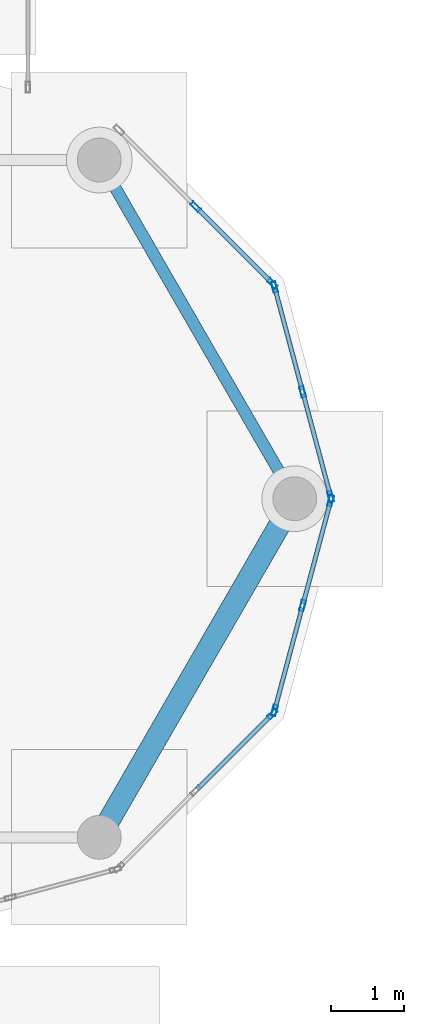
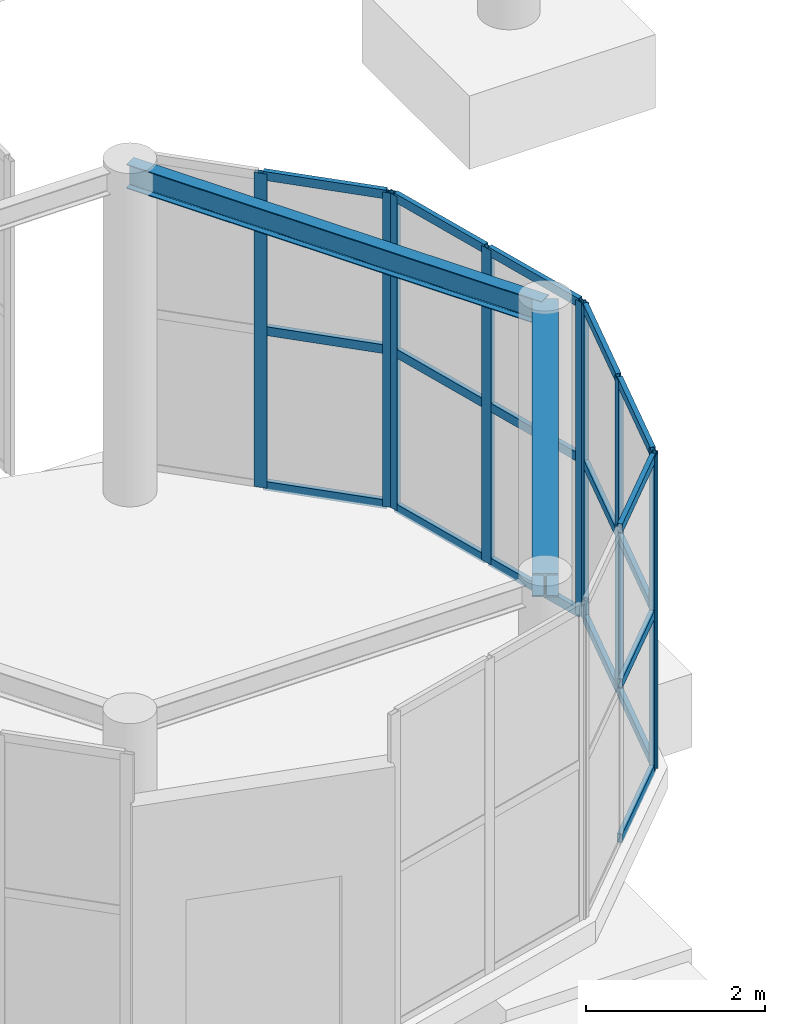
# One storey, part 51 of 139: 27 members, 2 beams, 4 elements without a shape of their own.
"""IFC4 building model written with IfcOpenShell, lengths in metres."""

from ifc_helpers import new_model, si_unit, direction, frame, origin, origin_2d, place, context, subcontext, project, spatial, hollow_rectangle, i_section, extrude, material, layer, layer_set, material_profile, profile_set, type_object, element, aggregate, save


model = new_model("IFC4")

# Units and contexts
model_context = context("Model", 3, precision=1e-05, world=origin(), true_north=direction((0.0, 1.0)))
body_context = subcontext(model_context, "Body", "Model", "MODEL_VIEW")
ifc_project = project(units=[si_unit("LENGTHUNIT", "METRE"), si_unit("AREAUNIT", "SQUARE_METRE"), si_unit("VOLUMEUNIT", "CUBIC_METRE"), si_unit("PLANEANGLEUNIT", "RADIAN"), si_unit("MASSUNIT", "GRAM", prefix="KILO")], contexts=[model_context])

# Site, building, storey
site_placement = place(None, origin())
site = spatial("IfcSite", under=ifc_project, at=site_placement, CompositionType="ELEMENT")
building_placement = place(site_placement, origin())
building = spatial("IfcBuilding", under=site, at=building_placement, Name="Zizhar Promenade General Hospital", CompositionType="ELEMENT")
storey_placement = place(building_placement, origin())
storey = spatial("IfcBuildingStorey", under=building, at=storey_placement, Name="L00", CompositionType="ELEMENT", Elevation=0.0)

# Beams
ifc_material_1 = material(Name="Steel S355", Category="steel")
ifc_material_profile_1 = material_profile(ifc_material_1, i_section(OverallWidth=0.300048828125, OverallDepth=0.320068359375, WebThickness=0.011474609375, FlangeThickness=0.0205078125, FilletRadius=0.027099609375, at=origin_2d()))
ifc_profile_set_1 = profile_set([ifc_material_profile_1], Name="Steel S355")
beam_type_1 = type_object("IfcBeamType", Name="BM-STL-HEB320", PredefinedType="BEAM", material=ifc_profile_set_1)
beam_1_placement = place(storey_placement, frame((166.675048828125, 23.36669921875, 4.340087890625), z_axis=(0.500001594578, 0.866024483152, 0.0), x_axis=(-0.866024483152, 0.500001594578, 0.0)))
element("IfcBeam", 1, at=beam_1_placement, inside=storey, type_object=beam_type_1, Name="PAV-2 Roof Ring Beam 6", PredefinedType="BEAM", context=body_context, shape_type="SweptSolid", body=[
    extrude(i_section(OverallWidth=0.300048828125, OverallDepth=0.320068359375, WebThickness=0.011474609375, FlangeThickness=0.0205078125, FilletRadius=0.027099609375, at=origin_2d()), origin(), (0.0, 0.0, 1.0), 5.35009765625),
])
ifc_material_2 = material(Name="Steel S355", Category="steel")
ifc_material_profile_2 = material_profile(ifc_material_2, i_section(OverallWidth=0.159912109375, OverallDepth=0.330078125, WebThickness=0.007568359375, FlangeThickness=0.011474609375, FilletRadius=0.01806640625, at=origin_2d()))
ifc_profile_set_2 = profile_set([ifc_material_profile_2], Name="Steel S355")
beam_type_2 = type_object("IfcBeamType", Name="BM-STL-IPE330", PredefinedType="JOIST", material=ifc_profile_set_2)
beam_2_placement = place(storey_placement, frame((169.35009765625, 28.0, 4.340087890625), z_axis=(-0.500001594578, 0.866024483152, 0.0), x_axis=(-0.866024483152, -0.500001594578, 0.0)))
element("IfcBeam", 2, at=beam_2_placement, inside=storey, type_object=beam_type_2, Name="PAV-2 Roof Ring Beam 1", PredefinedType="JOIST", context=body_context, shape_type="SweptSolid", body=[
    extrude(i_section(OverallWidth=0.159912109375, OverallDepth=0.330078125, WebThickness=0.007568359375, FlangeThickness=0.011474609375, FilletRadius=0.01806640625, at=origin_2d()), origin(), (0.0, 0.0, 1.0), 5.35009765625),
])

# Curtain wall, members
ifc_material_3 = material(Name="Anodised aluminium 6063-T6 and low-E glass", Category="aluminium")
ifc_layer = layer(ifc_material_3, 0.159912109375)
ifc_layer_set = layer_set([ifc_layer], Name="Anodised aluminium 6063-T6 and low-E glass")
curtain_wall_type = type_object("IfcCurtainWallType", Name="CW-PAV-GLZ", PredefinedType="NOTDEFINED", material=ifc_layer_set)
curtain_wall_1_placement = place(storey_placement, origin())
curtain_wall_1 = element("IfcCurtainWall", 3, at=curtain_wall_1_placement, inside=storey, type_object=curtain_wall_type, Name="Pharmacy Collection Pavilion Curved Glazing 1", PredefinedType="NOTDEFINED")
ifc_material_4 = material(Name="Anodised aluminium 6063-T6", Category="aluminium")
ifc_material_profile_3 = material_profile(ifc_material_4, hollow_rectangle(XDim=0.06005859375, YDim=0.14990234375, WallThickness=0.00390625, at=origin_2d()))
ifc_profile_set_3 = profile_set([ifc_material_profile_3], Name="Anodised aluminium 6063-T6")
member_type_1 = type_object("IfcMemberType", Name="CWM-ALU-150x60", PredefinedType="MULLION", material=ifc_profile_set_3)
member_1_placement = place(storey_placement, frame((169.073974609375, 30.89599609375, 0.0), z_axis=(0.0, 0.0, 1.0), x_axis=(0.965921812881, 0.25883402288, 0.0)))
member_1 = element("IfcMember", 4, at=member_1_placement, type_object=member_type_1, Name="CW-14 mullion 1", PredefinedType="MULLION", context=body_context, shape_type="SweptSolid", body=[
    extrude(hollow_rectangle(XDim=0.06005859375, YDim=0.14990234375, WallThickness=0.00390625, at=origin_2d()), origin(), (0.0, 0.0, 1.0), 4.280029296875),
])
member_2_placement = place(storey_placement, frame((169.4580078125, 29.46240234375, 0.0), z_axis=(0.0, 0.0, 1.0), x_axis=(0.965921812881, 0.25883402288, 0.0)))
member_2 = element("IfcMember", 5, at=member_2_placement, type_object=member_type_1, Name="CW-14 mullion 2", PredefinedType="MULLION", context=body_context, shape_type="SweptSolid", body=[
    extrude(hollow_rectangle(XDim=0.06005859375, YDim=0.14990234375, WallThickness=0.00390625, at=origin_2d()), origin(), (0.0, 0.0, 1.0), 4.280029296875),
])
member_3_placement = place(storey_placement, frame((169.84228515625, 28.029052734375, 0.0), z_axis=(0.0, 0.0, 1.0), x_axis=(0.965921812881, 0.25883402288, 0.0)))
member_3 = element("IfcMember", 6, at=member_3_placement, type_object=member_type_1, Name="CW-14 mullion 3", PredefinedType="MULLION", context=body_context, shape_type="SweptSolid", body=[
    extrude(hollow_rectangle(XDim=0.06005859375, YDim=0.14990234375, WallThickness=0.00390625, at=origin_2d()), origin(), (0.0, 0.0, 1.0), 4.280029296875),
])

curtain_wall_2_placement = place(storey_placement, origin())
curtain_wall_2 = element("IfcCurtainWall", 7, at=curtain_wall_2_placement, inside=storey, type_object=curtain_wall_type, Name="Pharmacy Collection Pavilion Curved Glazing 2", PredefinedType="NOTDEFINED")
member_4_placement = place(storey_placement, frame((167.99560546875, 31.99560546875, 0.0), z_axis=(0.0, 0.0, 1.0), x_axis=(0.707106781187, 0.707106781187, 0.0)))
member_4 = element("IfcMember", 8, at=member_4_placement, type_object=member_type_1, Name="CW-14 mullion 2", PredefinedType="MULLION", context=body_context, shape_type="SweptSolid", body=[
    extrude(hollow_rectangle(XDim=0.06005859375, YDim=0.14990234375, WallThickness=0.00390625, at=origin_2d()), origin(), (0.0, 0.0, 1.0), 4.280029296875),
])
member_5_placement = place(storey_placement, frame((169.044921875, 30.9462890625, 0.0), z_axis=(0.0, 0.0, 1.0), x_axis=(0.707106781187, 0.707106781187, 0.0)))
member_5 = element("IfcMember", 9, at=member_5_placement, type_object=member_type_1, Name="CW-14 mullion 3", PredefinedType="MULLION", context=body_context, shape_type="SweptSolid", body=[
    extrude(hollow_rectangle(XDim=0.06005859375, YDim=0.14990234375, WallThickness=0.00390625, at=origin_2d()), origin(), (0.0, 0.0, 1.0), 4.280029296875),
])

# Curtain wall, member
curtain_wall_3_placement = place(storey_placement, origin())
curtain_wall_3 = element("IfcCurtainWall", 10, at=curtain_wall_3_placement, inside=storey, type_object=curtain_wall_type, Name="Pharmacy Collection Pavilion Curved Glazing 11", PredefinedType="NOTDEFINED")
member_6_placement = place(storey_placement, frame((169.044921875, 25.0537109375, 0.0), z_axis=(0.0, 0.0, 1.0), x_axis=(0.707106781187, -0.707106781187, 0.0)))
member_6 = element("IfcMember", 11, at=member_6_placement, type_object=member_type_1, Name="CW-14 mullion 1", PredefinedType="MULLION", context=body_context, shape_type="SweptSolid", body=[
    extrude(hollow_rectangle(XDim=0.06005859375, YDim=0.14990234375, WallThickness=0.00390625, at=origin_2d()), origin(), (0.0, 0.0, 1.0), 4.280029296875),
])

# Curtain wall, members
curtain_wall_4_placement = place(storey_placement, origin())
curtain_wall_4 = element("IfcCurtainWall", 12, at=curtain_wall_4_placement, inside=storey, type_object=curtain_wall_type, Name="Pharmacy Collection Pavilion Curved Glazing 12", PredefinedType="NOTDEFINED")
member_7_placement = place(storey_placement, frame((169.84228515625, 27.970947265625, 0.0), z_axis=(0.0, 0.0, 1.0), x_axis=(0.965921812881, -0.25883402288, 0.0)))
member_7 = element("IfcMember", 13, at=member_7_placement, type_object=member_type_1, Name="CW-14 mullion 1", PredefinedType="MULLION", context=body_context, shape_type="SweptSolid", body=[
    extrude(hollow_rectangle(XDim=0.06005859375, YDim=0.14990234375, WallThickness=0.00390625, at=origin_2d()), origin(), (0.0, 0.0, 1.0), 4.280029296875),
])
member_8_placement = place(storey_placement, frame((169.4580078125, 26.53759765625, 0.0), z_axis=(0.0, 0.0, 1.0), x_axis=(0.965921812881, -0.25883402288, 0.0)))
member_8 = element("IfcMember", 14, at=member_8_placement, type_object=member_type_1, Name="CW-14 mullion 2", PredefinedType="MULLION", context=body_context, shape_type="SweptSolid", body=[
    extrude(hollow_rectangle(XDim=0.06005859375, YDim=0.14990234375, WallThickness=0.00390625, at=origin_2d()), origin(), (0.0, 0.0, 1.0), 4.280029296875),
])
member_9_placement = place(storey_placement, frame((169.073974609375, 25.10400390625, 0.0), z_axis=(0.0, 0.0, 1.0), x_axis=(0.965921812881, -0.25883402288, 0.0)))
member_9 = element("IfcMember", 15, at=member_9_placement, type_object=member_type_1, Name="CW-14 mullion 3", PredefinedType="MULLION", context=body_context, shape_type="SweptSolid", body=[
    extrude(hollow_rectangle(XDim=0.06005859375, YDim=0.14990234375, WallThickness=0.00390625, at=origin_2d()), origin(), (0.0, 0.0, 1.0), 4.280029296875),
])

# Member
ifc_material_5 = material(Name="Anodised aluminium 6063-T6", Category="aluminium")
ifc_material_profile_4 = material_profile(ifc_material_5, hollow_rectangle(XDim=0.06005859375, YDim=0.1201171875, WallThickness=0.00390625, at=origin_2d()))
ifc_profile_set_4 = profile_set([ifc_material_profile_4], Name="Anodised aluminium 6063-T6")
member_type_2 = type_object("IfcMemberType", Name="CWT-ALU-120x60", PredefinedType="USERDEFINED", material=ifc_profile_set_4)
member_10_placement = place(storey_placement, frame((169.081787109375, 30.866943359375, 0.030029296875), z_axis=(0.258878909043, -0.965909783806, 0.0), x_axis=(0.965909783806, 0.258878909043, 0.0)))
member_10 = element("IfcMember", 16, at=member_10_placement, type_object=member_type_2, Name="CW-14 transom 1.1", ObjectType="TRANSOM", PredefinedType="USERDEFINED", context=body_context, shape_type="SweptSolid", body=[
    extrude(hollow_rectangle(XDim=0.06005859375, YDim=0.1201171875, WallThickness=0.00390625, at=origin_2d()), origin(), (0.0, 0.0, 1.0), 1.424072265625),
])

member_11_placement = place(storey_placement, frame((169.081787109375, 30.866943359375, 2.139892578125), z_axis=(0.258878909043, -0.965909783806, 0.0), x_axis=(0.965909783806, 0.258878909043, 0.0)))
member_11 = element("IfcMember", 17, at=member_11_placement, type_object=member_type_2, Name="CW-14 transom 1.2", ObjectType="TRANSOM", PredefinedType="USERDEFINED", context=body_context, shape_type="SweptSolid", body=[
    extrude(hollow_rectangle(XDim=0.06005859375, YDim=0.1201171875, WallThickness=0.00390625, at=origin_2d()), origin(), (0.0, 0.0, 1.0), 1.424072265625),
])

member_12_placement = place(storey_placement, frame((169.081787109375, 30.866943359375, 4.25), z_axis=(0.258878909043, -0.965909783806, 0.0), x_axis=(0.965909783806, 0.258878909043, 0.0)))
member_12 = element("IfcMember", 18, at=member_12_placement, type_object=member_type_2, Name="CW-14 transom 1.3", ObjectType="TRANSOM", PredefinedType="USERDEFINED", context=body_context, shape_type="SweptSolid", body=[
    extrude(hollow_rectangle(XDim=0.06005859375, YDim=0.1201171875, WallThickness=0.00390625, at=origin_2d()), origin(), (0.0, 0.0, 1.0), 1.424072265625),
])

member_13_placement = place(storey_placement, frame((169.4658203125, 29.43359375, 0.030029296875), z_axis=(0.258836045938, -0.965921270769, 0.0), x_axis=(0.965921270769, 0.258836045938, 0.0)))
member_13 = element("IfcMember", 19, at=member_13_placement, type_object=member_type_2, Name="CW-14 transom 2.1", ObjectType="TRANSOM", PredefinedType="USERDEFINED", context=body_context, shape_type="SweptSolid", body=[
    extrude(hollow_rectangle(XDim=0.06005859375, YDim=0.1201171875, WallThickness=0.00390625, at=origin_2d()), origin(), (0.0, 0.0, 1.0), 1.42431640625),
])

member_14_placement = place(storey_placement, frame((169.4658203125, 29.43359375, 2.139892578125), z_axis=(0.258836045938, -0.965921270769, 0.0), x_axis=(0.965921270769, 0.258836045938, 0.0)))
member_14 = element("IfcMember", 20, at=member_14_placement, type_object=member_type_2, Name="CW-14 transom 2.2", ObjectType="TRANSOM", PredefinedType="USERDEFINED", context=body_context, shape_type="SweptSolid", body=[
    extrude(hollow_rectangle(XDim=0.06005859375, YDim=0.1201171875, WallThickness=0.00390625, at=origin_2d()), origin(), (0.0, 0.0, 1.0), 1.42431640625),
])

member_15_placement = place(storey_placement, frame((169.4658203125, 29.43359375, 4.25), z_axis=(0.258836045938, -0.965921270769, 0.0), x_axis=(0.965921270769, 0.258836045938, 0.0)))
member_15 = element("IfcMember", 21, at=member_15_placement, type_object=member_type_2, Name="CW-14 transom 2.3", ObjectType="TRANSOM", PredefinedType="USERDEFINED", context=body_context, shape_type="SweptSolid", body=[
    extrude(hollow_rectangle(XDim=0.06005859375, YDim=0.1201171875, WallThickness=0.00390625, at=origin_2d()), origin(), (0.0, 0.0, 1.0), 1.42431640625),
])

aggregate(curtain_wall_1, [member_1, member_2, member_3, member_10, member_11, member_12, member_13, member_14, member_15])

member_16_placement = place(storey_placement, frame((168.016845703125, 31.974365234375, 0.030029296875), z_axis=(0.707106781187, -0.707106781187, 0.0), x_axis=(0.707106781187, 0.707106781187, 0.0)))
member_16 = element("IfcMember", 22, at=member_16_placement, type_object=member_type_2, Name="CW-14 transom 2.1", ObjectType="TRANSOM", PredefinedType="USERDEFINED", context=body_context, shape_type="SweptSolid", body=[
    extrude(hollow_rectangle(XDim=0.06005859375, YDim=0.1201171875, WallThickness=0.00390625, at=origin_2d()), origin(), (0.0, 0.0, 1.0), 1.423828125),
])

member_17_placement = place(storey_placement, frame((168.016845703125, 31.974365234375, 2.139892578125), z_axis=(0.707106781187, -0.707106781187, 0.0), x_axis=(0.707106781187, 0.707106781187, 0.0)))
member_17 = element("IfcMember", 23, at=member_17_placement, type_object=member_type_2, Name="CW-14 transom 2.2", ObjectType="TRANSOM", PredefinedType="USERDEFINED", context=body_context, shape_type="SweptSolid", body=[
    extrude(hollow_rectangle(XDim=0.06005859375, YDim=0.1201171875, WallThickness=0.00390625, at=origin_2d()), origin(), (0.0, 0.0, 1.0), 1.423828125),
])

member_18_placement = place(storey_placement, frame((168.016845703125, 31.974365234375, 4.25), z_axis=(0.707106781187, -0.707106781187, 0.0), x_axis=(0.707106781187, 0.707106781187, 0.0)))
member_18 = element("IfcMember", 24, at=member_18_placement, type_object=member_type_2, Name="CW-14 transom 2.3", ObjectType="TRANSOM", PredefinedType="USERDEFINED", context=body_context, shape_type="SweptSolid", body=[
    extrude(hollow_rectangle(XDim=0.06005859375, YDim=0.1201171875, WallThickness=0.00390625, at=origin_2d()), origin(), (0.0, 0.0, 1.0), 1.423828125),
])

aggregate(curtain_wall_2, [member_4, member_5, member_16, member_17, member_18])

member_19_placement = place(storey_placement, frame((169.023681640625, 25.032470703125, 0.030029296875), z_axis=(-0.707106781187, -0.707106781187, 0.0), x_axis=(0.707106781187, -0.707106781187, 0.0)))
member_19 = element("IfcMember", 25, at=member_19_placement, type_object=member_type_2, Name="CW-14 transom 1.1", ObjectType="TRANSOM", PredefinedType="USERDEFINED", context=body_context, shape_type="SweptSolid", body=[
    extrude(hollow_rectangle(XDim=0.06005859375, YDim=0.1201171875, WallThickness=0.00390625, at=origin_2d()), origin(), (0.0, 0.0, 1.0), 1.423828125),
])

member_20_placement = place(storey_placement, frame((169.023681640625, 25.032470703125, 2.139892578125), z_axis=(-0.707106781187, -0.707106781187, 0.0), x_axis=(0.707106781187, -0.707106781187, 0.0)))
member_20 = element("IfcMember", 26, at=member_20_placement, type_object=member_type_2, Name="CW-14 transom 1.2", ObjectType="TRANSOM", PredefinedType="USERDEFINED", context=body_context, shape_type="SweptSolid", body=[
    extrude(hollow_rectangle(XDim=0.06005859375, YDim=0.1201171875, WallThickness=0.00390625, at=origin_2d()), origin(), (0.0, 0.0, 1.0), 1.423828125),
])

member_21_placement = place(storey_placement, frame((169.023681640625, 25.032470703125, 4.25), z_axis=(-0.707106781187, -0.707106781187, 0.0), x_axis=(0.707106781187, -0.707106781187, 0.0)))
member_21 = element("IfcMember", 27, at=member_21_placement, type_object=member_type_2, Name="CW-14 transom 1.3", ObjectType="TRANSOM", PredefinedType="USERDEFINED", context=body_context, shape_type="SweptSolid", body=[
    extrude(hollow_rectangle(XDim=0.06005859375, YDim=0.1201171875, WallThickness=0.00390625, at=origin_2d()), origin(), (0.0, 0.0, 1.0), 1.423828125),
])

aggregate(curtain_wall_3, [member_6, member_19, member_20, member_21])

member_22_placement = place(storey_placement, frame((169.83447265625, 27.942138671875, 0.030029296875), z_axis=(-0.258836045938, -0.965921270769, 0.0), x_axis=(0.965921270769, -0.258836045938, 0.0)))
member_22 = element("IfcMember", 28, at=member_22_placement, type_object=member_type_2, Name="CW-14 transom 1.1", ObjectType="TRANSOM", PredefinedType="USERDEFINED", context=body_context, shape_type="SweptSolid", body=[
    extrude(hollow_rectangle(XDim=0.06005859375, YDim=0.1201171875, WallThickness=0.00390625, at=origin_2d()), origin(), (0.0, 0.0, 1.0), 1.42431640625),
])

member_23_placement = place(storey_placement, frame((169.83447265625, 27.942138671875, 2.139892578125), z_axis=(-0.258836045938, -0.965921270769, 0.0), x_axis=(0.965921270769, -0.258836045938, 0.0)))
member_23 = element("IfcMember", 29, at=member_23_placement, type_object=member_type_2, Name="CW-14 transom 1.2", ObjectType="TRANSOM", PredefinedType="USERDEFINED", context=body_context, shape_type="SweptSolid", body=[
    extrude(hollow_rectangle(XDim=0.06005859375, YDim=0.1201171875, WallThickness=0.00390625, at=origin_2d()), origin(), (0.0, 0.0, 1.0), 1.42431640625),
])

member_24_placement = place(storey_placement, frame((169.83447265625, 27.942138671875, 4.25), z_axis=(-0.258836045938, -0.965921270769, 0.0), x_axis=(0.965921270769, -0.258836045938, 0.0)))
member_24 = element("IfcMember", 30, at=member_24_placement, type_object=member_type_2, Name="CW-14 transom 1.3", ObjectType="TRANSOM", PredefinedType="USERDEFINED", context=body_context, shape_type="SweptSolid", body=[
    extrude(hollow_rectangle(XDim=0.06005859375, YDim=0.1201171875, WallThickness=0.00390625, at=origin_2d()), origin(), (0.0, 0.0, 1.0), 1.42431640625),
])

member_25_placement = place(storey_placement, frame((169.450439453125, 26.508544921875, 0.030029296875), z_axis=(-0.258878909043, -0.965909783806, 0.0), x_axis=(0.965909783806, -0.258878909043, 0.0)))
member_25 = element("IfcMember", 31, at=member_25_placement, type_object=member_type_2, Name="CW-14 transom 2.1", ObjectType="TRANSOM", PredefinedType="USERDEFINED", context=body_context, shape_type="SweptSolid", body=[
    extrude(hollow_rectangle(XDim=0.06005859375, YDim=0.1201171875, WallThickness=0.00390625, at=origin_2d()), origin(), (0.0, 0.0, 1.0), 1.424072265625),
])

member_26_placement = place(storey_placement, frame((169.450439453125, 26.508544921875, 2.139892578125), z_axis=(-0.258878909043, -0.965909783806, 0.0), x_axis=(0.965909783806, -0.258878909043, 0.0)))
member_26 = element("IfcMember", 32, at=member_26_placement, type_object=member_type_2, Name="CW-14 transom 2.2", ObjectType="TRANSOM", PredefinedType="USERDEFINED", context=body_context, shape_type="SweptSolid", body=[
    extrude(hollow_rectangle(XDim=0.06005859375, YDim=0.1201171875, WallThickness=0.00390625, at=origin_2d()), origin(), (0.0, 0.0, 1.0), 1.424072265625),
])

member_27_placement = place(storey_placement, frame((169.450439453125, 26.508544921875, 4.25), z_axis=(-0.258878909043, -0.965909783806, 0.0), x_axis=(0.965909783806, -0.258878909043, 0.0)))
member_27 = element("IfcMember", 33, at=member_27_placement, type_object=member_type_2, Name="CW-14 transom 2.3", ObjectType="TRANSOM", PredefinedType="USERDEFINED", context=body_context, shape_type="SweptSolid", body=[
    extrude(hollow_rectangle(XDim=0.06005859375, YDim=0.1201171875, WallThickness=0.00390625, at=origin_2d()), origin(), (0.0, 0.0, 1.0), 1.424072265625),
])

aggregate(curtain_wall_4, [member_7, member_8, member_9, member_22, member_23, member_24, member_25, member_26, member_27])

save(model, "model.ifc")
